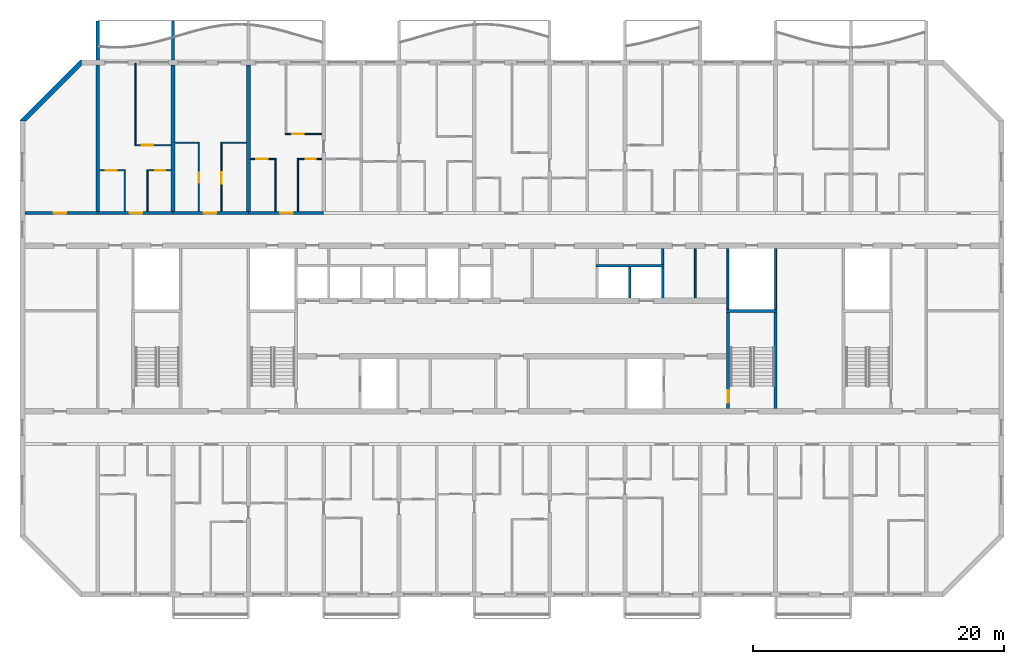
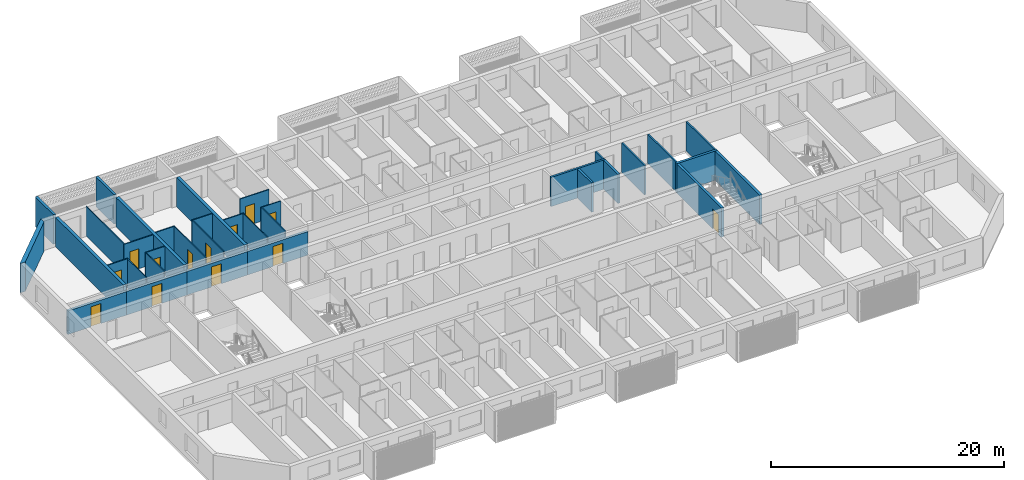
# One storey, part 8 of 32: 35 walls, 13 doors, 13 openings.
"""IFC4 building model written with IfcOpenShell, lengths in metres."""

import ifcopenshell
import ifcopenshell.guid

model = None  # the IFC model being written
_history = None  # IfcOwnerHistory: only IFC2X3 demands one
_inside = {}  # id of a spatial element -> (the spatial element, [elements in it])
_under = {}  # id of a project, library or spatial element -> (it, [spatial elements below it])
_declared = {}  # id of a project -> (the project, [libraries it declares])
_typed = {}  # id of a type object -> (the type object, [elements of that type])
_made_of = {}  # id of a material, layer set ... -> (it, [elements and type objects made of it])


def new_model(schema):
    """Start an empty IFC model of exactly this schema.

    Asked for "IFC4X3", IfcOpenShell would pick the latest addendum, in which some entities
    have other attributes; the version numbers below select the first issue.
    IFC2X3 requires an IfcOwnerHistory on every rooted entity: one is made here for all.
    """
    global model, _history
    if schema == "IFC4X3":
        model = ifcopenshell.file(schema_version=(4, 3, 0, 0))
    else:
        model = ifcopenshell.file(schema=schema)
    _inside.clear()
    _under.clear()
    _declared.clear()
    _typed.clear()
    _made_of.clear()
    _history = None
    if model.schema == "IFC2X3":
        org = make("IfcOrganization", Name="unknown")
        user = make(
            "IfcPersonAndOrganization",
            ThePerson=make("IfcPerson", FamilyName="unknown"),
            TheOrganization=org,
        )
        app = make(
            "IfcApplication",
            ApplicationDeveloper=org,
            Version="unknown",
            ApplicationFullName="unknown",
            ApplicationIdentifier="unknown",
        )
        _history = make(
            "IfcOwnerHistory",
            OwningUser=user,
            OwningApplication=app,
            ChangeAction="ADDED",
            CreationDate=0,
        )
    return model


def make(cls, **values):
    """One entity of the class cls with the attributes given. An attribute that is None is left unset."""
    return model.create_entity(
        cls, **{name: value for name, value in values.items() if value is not None}
    )


def rooted(cls, **values):
    """An entity with a GlobalId (a new one), such as an element, a storey or a relation."""
    return make(cls, GlobalId=ifcopenshell.guid.new(), OwnerHistory=_history, **values)


def si_unit(unit_type, name, prefix=None):
    """IfcSIUnit, for example si_unit("LENGTHUNIT", "METRE", prefix="MILLI")."""
    return make("IfcSIUnit", UnitType=unit_type, Prefix=prefix, Name=name)


def assignment(units):
    """IfcUnitAssignment: the units of a project."""
    return None if units is None else make("IfcUnitAssignment", Units=units)


def point(xyz):
    """IfcCartesianPoint."""
    return None if xyz is None else make("IfcCartesianPoint", Coordinates=xyz)


def direction(xyz):
    """IfcDirection."""
    return None if xyz is None else make("IfcDirection", DirectionRatios=xyz)


def frame(location, z_axis=None, x_axis=None):
    """IfcAxis2Placement3D, a coordinate frame: its origin and axes. An axis left out is left unset."""
    return make(
        "IfcAxis2Placement3D",
        Location=point(location),
        Axis=direction(z_axis),
        RefDirection=direction(x_axis),
    )


def frame_2d(location, x_axis=None):
    """IfcAxis2Placement2D, a coordinate frame in the plane: its origin and x axis."""
    return make(
        "IfcAxis2Placement2D", Location=point(location), RefDirection=direction(x_axis)
    )


def origin():
    """The frame at (0, 0, 0) with its axes left unset."""
    return frame((0.0, 0.0, 0.0))


def place(relative_to, where):
    """IfcLocalPlacement: puts the frame where relative to a parent placement (None: the world)."""
    return make(
        "IfcLocalPlacement", PlacementRelTo=relative_to, RelativePlacement=where
    )


def context(
    kind, dimensions, precision=None, world=None, true_north=None, identifier=None
):
    """IfcGeometricRepresentationContext, for example the 3D "Model" context."""
    return make(
        "IfcGeometricRepresentationContext",
        ContextIdentifier=identifier,
        ContextType=kind,
        CoordinateSpaceDimension=dimensions,
        Precision=precision,
        WorldCoordinateSystem=world,
        TrueNorth=true_north,
    )


def subcontext(parent, identifier, kind, view, scale=None):
    """IfcGeometricRepresentationSubContext, for example "Body" below "Model"."""
    return make(
        "IfcGeometricRepresentationSubContext",
        ContextIdentifier=identifier,
        ContextType=kind,
        ParentContext=parent,
        TargetScale=scale,
        TargetView=view,
    )


def project(units=None, contexts=None):
    """IfcProject with its units and contexts."""
    return rooted(
        "IfcProject",
        Name="project",
        RepresentationContexts=contexts,
        UnitsInContext=assignment(units),
    )


def spatial(cls, under=None, at=None, **own):
    """A site, building, storey or space (cls), placed at a placement, below another one or the project."""
    s = rooted(cls, ObjectPlacement=at, **own)
    if under is not None:
        _under.setdefault(under.id(), (under, []))[1].append(s)
    return s


def polyline(points):
    """IfcPolyline through the points."""
    return make("IfcPolyline", Points=[point(p) for p in points])


def profile(cls, at=None, kind="AREA", **sizes):
    """A parametric profile (cls). Its sizes go by their IFC names, for example OverallWidth=200.0."""
    return make(cls, ProfileType=kind, Position=at, **sizes)


def rectangle(**sizes):
    """IfcRectangleProfileDef."""
    return profile("IfcRectangleProfileDef", **sizes)


def outline(outer, holes=None, kind="AREA"):
    """IfcArbitraryClosedProfileDef: a profile drawn as a closed curve; with holes, ...WithVoids."""
    if holes is None:
        return make("IfcArbitraryClosedProfileDef", ProfileType=kind, OuterCurve=outer)
    return make(
        "IfcArbitraryProfileDefWithVoids",
        ProfileType=kind,
        OuterCurve=outer,
        InnerCurves=holes,
    )


def extrude(swept, where, along, depth):
    """IfcExtrudedAreaSolid: the profile swept, set in the frame where, extruded along a direction by depth."""
    return make(
        "IfcExtrudedAreaSolid",
        SweptArea=swept,
        Position=where,
        ExtrudedDirection=direction(along),
        Depth=depth,
    )


def shape(context_of_items, identifier, shape_type, items):
    """IfcShapeRepresentation: the items that make up one representation, for example the "Body"."""
    return make(
        "IfcShapeRepresentation",
        ContextOfItems=context_of_items,
        RepresentationIdentifier=identifier,
        RepresentationType=shape_type,
        Items=items,
    )


def source(mapping_origin, context_of_items, identifier, shape_type, items):
    """IfcRepresentationMap: a shape defined once, which mapped items show again and again."""
    return make(
        "IfcRepresentationMap",
        MappingOrigin=mapping_origin,
        MappedRepresentation=shape(context_of_items, identifier, shape_type, items),
    )


def transform(
    local_origin,
    x_axis=None,
    y_axis=None,
    z_axis=None,
    scale=None,
    scale2=None,
    scale3=None,
    uniform=True,
):
    """IfcCartesianTransformationOperator3D, or its non-uniform kind. x_axis, y_axis, z_axis: its Axis1, 2, 3."""
    if uniform:
        return make(
            "IfcCartesianTransformationOperator3D",
            Axis1=direction(x_axis),
            Axis2=direction(y_axis),
            LocalOrigin=point(local_origin),
            Scale=scale,
            Axis3=direction(z_axis),
        )
    return make(
        "IfcCartesianTransformationOperator3DnonUniform",
        Axis1=direction(x_axis),
        Axis2=direction(y_axis),
        LocalOrigin=point(local_origin),
        Scale=scale,
        Axis3=direction(z_axis),
        Scale2=scale2,
        Scale3=scale3,
    )


def mapped(mapping_source, mapping_target):
    """IfcMappedItem: shows the shape of a source again, moved by a transform."""
    return make(
        "IfcMappedItem", MappingSource=mapping_source, MappingTarget=mapping_target
    )


def material(Name=None, Category=None):
    """IfcMaterial."""
    return make("IfcMaterial", Name=Name, Category=Category)


def layer(
    of_material, thickness, ventilated=None, Name=None, Category=None, Priority=None
):
    """IfcMaterialLayer: one layer of a wall or slab, of a material (None: an air gap)."""
    return make(
        "IfcMaterialLayer",
        Material=of_material,
        LayerThickness=thickness,
        IsVentilated=ventilated,
        Name=Name,
        Category=Category,
        Priority=Priority,
    )


def layer_set(layers, Name=None):
    """IfcMaterialLayerSet."""
    return make("IfcMaterialLayerSet", MaterialLayers=layers, LayerSetName=Name)


def made_of(thing, what):
    """Note that an element or type object is made of a material, layer set ...; save() writes the relation."""
    if what is not None:
        _made_of.setdefault(what.id(), (what, []))[1].append(thing)
    return thing


def type_object(cls, material=None, **own):
    """A type object (cls), such as IfcWallType, which elements share."""
    return made_of(rooted(cls, **own), material)


def element(
    cls,
    number,
    at=None,
    inside=None,
    cuts=None,
    type_object=None,
    material=None,
    context=None,
    identifier="Body",
    shape_type=None,
    held_by="IfcProductDefinitionShape",
    body=None,
    shapes=None,
    **own,
):
    """One element of the class cls, such as IfcWall. Its Tag is "e" and its number.

    at: its placement. inside: the storey or other place that contains it. cuts: it is an
    opening in that element (IfcRelVoidsElement). A single representation is given by context,
    identifier, shape_type and body (its items); several are given by shapes. held_by: the class
    of the entity that holds the representations. save() writes the other relations.
    """
    e = rooted(cls, Tag="e%d" % number, ObjectPlacement=at, **own)
    if body is not None:
        shapes = [shape(context, identifier, shape_type, body)]
    if shapes is not None:
        e.Representation = make(held_by, Representations=shapes)
    if inside is not None:
        _inside.setdefault(inside.id(), (inside, []))[1].append(e)
    if cuts is not None:
        rooted(
            "IfcRelVoidsElement", RelatingBuildingElement=cuts, RelatedOpeningElement=e
        )
    if type_object is not None:
        _typed.setdefault(type_object.id(), (type_object, []))[1].append(e)
    return made_of(e, material)


def fill(opening, filler):
    """IfcRelFillsElement: the door or window that sits in an opening."""
    return rooted(
        "IfcRelFillsElement",
        RelatingOpeningElement=opening,
        RelatedBuildingElement=filler,
    )


def aggregate(whole, parts):
    """IfcRelAggregates: a whole, such as a stair, and the parts it consists of."""
    return rooted("IfcRelAggregates", RelatingObject=whole, RelatedObjects=parts)


def save(model, path):
    """Write the relations noted so far, then the file.

    IfcRelAggregates (storeys below a building ...), IfcRelContainedInSpatialStructure (elements
    in a storey), IfcRelDefinesByType, IfcRelAssociatesMaterial and IfcRelDeclares: one each for
    every whole, place, type object, material and project.
    """
    for whole, parts in _under.values():
        aggregate(whole, parts)
    for where, things in _inside.values():
        rooted(
            "IfcRelContainedInSpatialStructure",
            RelatedElements=things,
            RelatingStructure=where,
        )
    for kind, things in _typed.values():
        rooted("IfcRelDefinesByType", RelatedObjects=things, RelatingType=kind)
    for what, things in _made_of.values():
        rooted("IfcRelAssociatesMaterial", RelatedObjects=things, RelatingMaterial=what)
    for by, libraries in _declared.values():
        rooted("IfcRelDeclares", RelatingContext=by, RelatedDefinitions=libraries)
    model.write(path)


model = new_model("IFC4")

# Units and contexts
model_context = context("Model", 3, precision=1e-05, world=origin(), true_north=direction((0.0, 1.0)))
body_context = subcontext(model_context, "Body", "Model", "MODEL_VIEW")
ifc_project = project(units=[si_unit("LENGTHUNIT", "METRE"), si_unit("AREAUNIT", "SQUARE_METRE"), si_unit("VOLUMEUNIT", "CUBIC_METRE"), si_unit("PLANEANGLEUNIT", "RADIAN"), si_unit("MASSUNIT", "GRAM", prefix="KILO")], contexts=[model_context])

# Site, building, storey
site_placement = place(None, origin())
site = spatial("IfcSite", under=ifc_project, at=site_placement, CompositionType="ELEMENT")
building_placement = place(site_placement, origin())
building = spatial("IfcBuilding", under=site, at=building_placement, Name="Poui Terraces", CompositionType="ELEMENT")
storey_placement = place(building_placement, frame((0.0, 0.0, 152.10009765625)))
storey = spatial("IfcBuildingStorey", under=building, at=storey_placement, Name="L42", CompositionType="ELEMENT", Elevation=152.10009765625)

# Wall, opening, door
ifc_material_1 = material(Name="Concrete 65 MPa", Category="concrete")
ifc_layer_1 = layer(ifc_material_1, 0.25)
ifc_layer_set_1 = layer_set([ifc_layer_1], Name="Concrete 65 MPa")
wall_type_1 = type_object("IfcWallType", Name="CORRIDOR WALL 250 65MPa", PredefinedType="SHEAR", material=ifc_layer_set_1)
wall_1_placement = place(storey_placement, frame((12.199951171875, 30.39990234375, 0.0), z_axis=(0.0, 0.0, 1.0), x_axis=(1.0, 0.0, 0.0)))
wall_1 = element("IfcWall", 1, at=wall_1_placement, inside=storey, type_object=wall_type_1, Name="CORRIDOR WALL LINE E BAY 1", PredefinedType="SHEAR", context=body_context, shape_type="SweptSolid", body=[
    extrude(rectangle(XDim=5.800048828125, YDim=0.25, at=frame_2d((2.89990234375, 0.0))), origin(), (0.0, 0.0, 1.0), 2.469970703125),
])
opening_1_placement = place(wall_1_placement, frame((2.300048828125, 0.0, 0.0)))
opening_1 = element("IfcOpeningElement", 2, at=opening_1_placement, cuts=wall_1, Name="Opening D100", PredefinedType="OPENING", context=body_context, shape_type="SweptSolid", body=[
    extrude(rectangle(XDim=1.0, YDim=2.10009765625, at=frame_2d((0.5, 1.050048828125))), frame((0.0, 0.135009765625, 0.0), z_axis=(0.0, -1.0, 0.0), x_axis=(1.0, 0.0, 0.0)), (0.0, 0.0, 1.0), 0.27001953125),
])
ifc_material_2 = material(Name="Solid core timber door", Category="wood")
door_type_1 = type_object("IfcDoorType", Name="ACCESSIBLE INTERNAL DOOR 1000 X 2100", OperationType="NOTDEFINED", PredefinedType="DOOR", material=ifc_material_2)
door_1_placement = place(opening_1_placement, origin())
door_1 = element("IfcDoor", 3, at=door_1_placement, inside=storey, type_object=door_type_1, Name="ACCESSIBLE INTERNAL DOOR 029", OperationType="SINGLE_SWING_LEFT", OverallHeight=2.10009765625, OverallWidth=1.0, PredefinedType="DOOR", context=body_context, shape_type="SweptSolid", body=[
    extrude(rectangle(XDim=1.0, YDim=2.10009765625, at=frame_2d((0.5, 1.050048828125))), frame((0.0, 0.02490234375, 0.0), z_axis=(0.0, -1.0, 0.0), x_axis=(1.0, 0.0, 0.0)), (0.0, 0.0, 1.0), 0.050048828125),
])
fill(opening_1, door_1)

wall_2_placement = place(storey_placement, frame((18.0, 30.39990234375, 0.0), z_axis=(0.0, 0.0, 1.0), x_axis=(1.0, 0.0, 0.0)))
wall_2 = element("IfcWall", 4, at=wall_2_placement, inside=storey, type_object=wall_type_1, Name="CORRIDOR WALL LINE E BAY 2", PredefinedType="SHEAR", context=body_context, shape_type="SweptSolid", body=[
    extrude(rectangle(XDim=6.0, YDim=0.25, at=frame_2d((3.0, 0.0))), origin(), (0.0, 0.0, 1.0), 2.469970703125),
])
opening_2_placement = place(wall_2_placement, frame((2.550048828125, 0.0, 0.0)))
opening_2 = element("IfcOpeningElement", 5, at=opening_2_placement, cuts=wall_2, Name="Opening FD30S", PredefinedType="OPENING", context=body_context, shape_type="SweptSolid", body=[
    extrude(rectangle(XDim=1.0, YDim=2.10009765625, at=frame_2d((0.5, 1.050048828125))), frame((0.0, 0.135009765625, 0.0), z_axis=(0.0, -1.0, 0.0), x_axis=(1.0, 0.0, 0.0)), (0.0, 0.0, 1.0), 0.27001953125),
])
ifc_material_3 = material(Name="Steel fire door", Category="steel")
door_type_2 = type_object("IfcDoorType", Name="FLAT ENTRANCE DOOR 1000 X 2100", OperationType="NOTDEFINED", PredefinedType="DOOR", material=ifc_material_3)
door_2_placement = place(opening_2_placement, origin())
door_2 = element("IfcDoor", 6, at=door_2_placement, inside=storey, type_object=door_type_2, Name="FLAT ENTRANCE DOOR 031", OperationType="SINGLE_SWING_RIGHT", OverallHeight=2.10009765625, OverallWidth=1.0, PredefinedType="DOOR", context=body_context, shape_type="SweptSolid", body=[
    extrude(rectangle(XDim=1.0, YDim=2.10009765625, at=frame_2d((0.5, 1.050048828125))), frame((0.0, 0.02490234375, 0.0), z_axis=(0.0, -1.0, 0.0), x_axis=(1.0, 0.0, 0.0)), (0.0, 0.0, 1.0), 0.050048828125),
])
fill(opening_2, door_2)

wall_3_placement = place(storey_placement, frame((24.0, 30.39990234375, 0.0), z_axis=(0.0, 0.0, 1.0), x_axis=(1.0, 0.0, 0.0)))
wall_3 = element("IfcWall", 7, at=wall_3_placement, inside=storey, type_object=wall_type_1, Name="CORRIDOR WALL LINE E BAY 3", PredefinedType="SHEAR", context=body_context, shape_type="SweptSolid", body=[
    extrude(rectangle(XDim=6.0, YDim=0.25, at=frame_2d((3.0, 0.0))), origin(), (0.0, 0.0, 1.0), 2.469970703125),
])
opening_3_placement = place(wall_3_placement, frame((2.449951171875, 0.0, 0.0)))
opening_3 = element("IfcOpeningElement", 8, at=opening_3_placement, cuts=wall_3, Name="Opening FD30S", PredefinedType="OPENING", context=body_context, shape_type="SweptSolid", body=[
    extrude(rectangle(XDim=1.0, YDim=2.10009765625, at=frame_2d((0.5, 1.050048828125))), frame((0.0, 0.135009765625, 0.0), z_axis=(0.0, -1.0, 0.0), x_axis=(1.0, 0.0, 0.0)), (0.0, 0.0, 1.0), 0.27001953125),
])
door_3_placement = place(opening_3_placement, origin())
door_3 = element("IfcDoor", 9, at=door_3_placement, inside=storey, type_object=door_type_2, Name="FLAT ENTRANCE DOOR 035", OperationType="SINGLE_SWING_LEFT", OverallHeight=2.10009765625, OverallWidth=1.0, PredefinedType="DOOR", context=body_context, shape_type="SweptSolid", body=[
    extrude(rectangle(XDim=1.0, YDim=2.10009765625, at=frame_2d((0.5, 1.050048828125))), frame((0.0, 0.02490234375, 0.0), z_axis=(0.0, -1.0, 0.0), x_axis=(1.0, 0.0, 0.0)), (0.0, 0.0, 1.0), 0.050048828125),
])
fill(opening_3, door_3)

wall_4_placement = place(storey_placement, frame((30.0, 30.39990234375, 0.0), z_axis=(0.0, 0.0, 1.0), x_axis=(1.0, 0.0, 0.0)))
wall_4 = element("IfcWall", 10, at=wall_4_placement, inside=storey, type_object=wall_type_1, Name="CORRIDOR WALL LINE E BAY 4", PredefinedType="SHEAR", context=body_context, shape_type="SweptSolid", body=[
    extrude(rectangle(XDim=6.0, YDim=0.25, at=frame_2d((3.0, 0.0))), origin(), (0.0, 0.0, 1.0), 2.469970703125),
])
opening_4_placement = place(wall_4_placement, frame((2.550048828125, 0.0, 0.0)))
opening_4 = element("IfcOpeningElement", 11, at=opening_4_placement, cuts=wall_4, Name="Opening FD30S", PredefinedType="OPENING", context=body_context, shape_type="SweptSolid", body=[
    extrude(rectangle(XDim=1.0, YDim=2.10009765625, at=frame_2d((0.5, 1.050048828125))), frame((0.0, 0.135009765625, 0.0), z_axis=(0.0, -1.0, 0.0), x_axis=(1.0, 0.0, 0.0)), (0.0, 0.0, 1.0), 0.27001953125),
])
door_4_placement = place(opening_4_placement, origin())
door_4 = element("IfcDoor", 12, at=door_4_placement, inside=storey, type_object=door_type_2, Name="FLAT ENTRANCE DOOR 039", OperationType="SINGLE_SWING_RIGHT", OverallHeight=2.10009765625, OverallWidth=1.0, PredefinedType="DOOR", context=body_context, shape_type="SweptSolid", body=[
    extrude(rectangle(XDim=1.0, YDim=2.10009765625, at=frame_2d((0.5, 1.050048828125))), frame((0.0, 0.02490234375, 0.0), z_axis=(0.0, -1.0, 0.0), x_axis=(1.0, 0.0, 0.0)), (0.0, 0.0, 1.0), 0.050048828125),
])
fill(opening_4, door_4)

# Walls
ifc_layer_2 = layer(ifc_material_1, 0.300048828125)
ifc_layer_set_2 = layer_set([ifc_layer_2], Name="Concrete 65 MPa")
wall_type_2 = type_object("IfcWallType", Name="CROSS WALL 300 65MPa", PredefinedType="SHEAR", material=ifc_layer_set_2)
for number, where, z_axis, x_axis, name in (
    (13, (18.0, 30.52490234375, 0.0), (0.0, 0.0, 1.0), (0.0, 1.0, 0.0), "CROSS WALL LINE 4 NORTH"),
    (14, (24.0, 30.52490234375, 0.0), (0.0, 0.0, 1.0), (0.0, 1.0, 0.0), "CROSS WALL LINE 5 NORTH"),
    (15, (30.0, 30.52490234375, 0.0), (0.0, 0.0, 1.0), (0.0, 1.0, 0.0), "CROSS WALL LINE 6 NORTH"),
):
    element("IfcWall", number, at=place(storey_placement, frame(where, z_axis=z_axis, x_axis=x_axis)), inside=storey, type_object=wall_type_2, Name=name, PredefinedType="SHEAR", context=body_context, shape_type="SweptSolid", body=[
        extrude(rectangle(XDim=11.675048828125, YDim=0.300048828125, at=frame_2d((5.83740234375, 0.0))), origin(), (0.0, 0.0, 1.0), 3.06982421875),
    ])

# Wall, opening, door
ifc_material_4 = material(Name="Plasterboard partition")
ifc_layer_3 = layer(ifc_material_4, 0.10009765625)
ifc_layer_set_3 = layer_set([ifc_layer_3], Name="Plasterboard partition")
wall_type_3 = type_object("IfcWallType", Name="FLAT PARTITION 100", PredefinedType="PARTITIONING", material=ifc_layer_set_3)
wall_5_placement = place(storey_placement, frame((18.159912109375, 33.800048828125, 0.0), z_axis=(0.0, 0.0, 1.0), x_axis=(1.0, 0.0, 0.0)))
wall_5 = element("IfcWall", 16, at=wall_5_placement, inside=storey, type_object=wall_type_3, Name="FLAT PARTITION 100", PredefinedType="PARTITIONING", context=body_context, shape_type="SweptSolid", body=[
    extrude(rectangle(XDim=2.0400390625, YDim=0.10009765625, at=frame_2d((1.02001953125, 0.0))), origin(), (0.0, 0.0, 1.0), 3.06982421875),
])
opening_5_placement = place(wall_5_placement, frame((0.465087890625, 0.0, 0.0)))
opening_5 = element("IfcOpeningElement", 17, at=opening_5_placement, cuts=wall_5, Name="Opening D90", PredefinedType="OPENING", context=body_context, shape_type="SweptSolid", body=[
    extrude(rectangle(XDim=0.89990234375, YDim=2.10009765625, at=frame_2d((0.449951171875, 1.050048828125))), frame((0.0, 0.06005859375, 0.0), z_axis=(0.0, -1.0, 0.0), x_axis=(1.0, 0.0, 0.0)), (0.0, 0.0, 1.0), 0.1201171875),
])
door_type_3 = type_object("IfcDoorType", Name="INTERNAL DOOR 900 X 2100", OperationType="NOTDEFINED", PredefinedType="DOOR", material=ifc_material_2)
door_5_placement = place(opening_5_placement, frame((0.89990234375, 0.0, 0.0), z_axis=(0.0, 0.0, 1.0), x_axis=(-1.0, 0.0, 0.0)))
door_5 = element("IfcDoor", 18, at=door_5_placement, inside=storey, type_object=door_type_3, Name="INTERNAL DOOR 030", OperationType="SINGLE_SWING_LEFT", OverallHeight=2.10009765625, OverallWidth=0.89990234375, PredefinedType="DOOR", context=body_context, shape_type="SweptSolid", body=[
    extrude(rectangle(XDim=0.89990234375, YDim=2.10009765625, at=frame_2d((0.449951171875, 1.050048828125))), frame((0.0, 0.02490234375, 0.0), z_axis=(0.0, -1.0, 0.0), x_axis=(1.0, 0.0, 0.0)), (0.0, 0.0, 1.0), 0.050048828125),
])
fill(opening_5, door_5)

wall_6_placement = place(storey_placement, frame((21.89990234375, 33.800048828125, 0.0), z_axis=(0.0, 0.0, 1.0), x_axis=(1.0, 0.0, 0.0)))
wall_6 = element("IfcWall", 19, at=wall_6_placement, inside=storey, type_object=wall_type_3, Name="FLAT PARTITION 100", PredefinedType="PARTITIONING", context=body_context, shape_type="SweptSolid", body=[
    extrude(rectangle(XDim=1.940185546875, YDim=0.10009765625, at=frame_2d((0.97021484375, 0.0))), origin(), (0.0, 0.0, 1.0), 3.06982421875),
])
opening_6_placement = place(wall_6_placement, frame((0.675048828125, 0.0, 0.0)))
opening_6 = element("IfcOpeningElement", 20, at=opening_6_placement, cuts=wall_6, Name="Opening D80", PredefinedType="OPENING", context=body_context, shape_type="SweptSolid", body=[
    extrude(rectangle(XDim=0.800048828125, YDim=2.10009765625, at=frame_2d((0.39990234375, 1.050048828125))), frame((0.0, 0.06005859375, 0.0), z_axis=(0.0, -1.0, 0.0), x_axis=(1.0, 0.0, 0.0)), (0.0, 0.0, 1.0), 0.1201171875),
])
door_type_4 = type_object("IfcDoorType", Name="BATHROOM, LAUNDRY AND STORE DOOR 800 X 2100", OperationType="NOTDEFINED", PredefinedType="DOOR", material=ifc_material_2)
door_6_placement = place(opening_6_placement, frame((0.800048828125, 0.0, 0.0), z_axis=(0.0, 0.0, 1.0), x_axis=(-1.0, 0.0, 0.0)))
door_6 = element("IfcDoor", 21, at=door_6_placement, inside=storey, type_object=door_type_4, Name="BATHROOM, LAUNDRY AND STORE DOOR 033", OperationType="SINGLE_SWING_RIGHT", OverallHeight=2.10009765625, OverallWidth=0.800048828125, PredefinedType="DOOR", context=body_context, shape_type="SweptSolid", body=[
    extrude(rectangle(XDim=0.800048828125, YDim=2.10009765625, at=frame_2d((0.39990234375, 1.050048828125))), frame((0.0, 0.02490234375, 0.0), z_axis=(0.0, -1.0, 0.0), x_axis=(1.0, 0.0, 0.0)), (0.0, 0.0, 1.0), 0.050048828125),
])
fill(opening_6, door_6)

wall_7_placement = place(storey_placement, frame((30.159912109375, 34.699951171875, 0.0), z_axis=(0.0, 0.0, 1.0), x_axis=(1.0, 0.0, 0.0)))
wall_7 = element("IfcWall", 22, at=wall_7_placement, inside=storey, type_object=wall_type_3, Name="FLAT PARTITION 100", PredefinedType="PARTITIONING", context=body_context, shape_type="SweptSolid", body=[
    extrude(rectangle(XDim=2.0400390625, YDim=0.10009765625, at=frame_2d((1.02001953125, 0.0))), origin(), (0.0, 0.0, 1.0), 3.06982421875),
])
opening_7_placement = place(wall_7_placement, frame((0.465087890625, 0.0, 0.0)))
opening_7 = element("IfcOpeningElement", 23, at=opening_7_placement, cuts=wall_7, Name="Opening D90", PredefinedType="OPENING", context=body_context, shape_type="SweptSolid", body=[
    extrude(rectangle(XDim=0.89990234375, YDim=2.10009765625, at=frame_2d((0.449951171875, 1.050048828125))), frame((0.0, 0.06005859375, 0.0), z_axis=(0.0, -1.0, 0.0), x_axis=(1.0, 0.0, 0.0)), (0.0, 0.0, 1.0), 0.1201171875),
])
door_7_placement = place(opening_7_placement, frame((0.89990234375, 0.0, 0.0), z_axis=(0.0, 0.0, 1.0), x_axis=(-1.0, 0.0, 0.0)))
door_7 = element("IfcDoor", 24, at=door_7_placement, inside=storey, type_object=door_type_3, Name="INTERNAL DOOR 038", OperationType="SINGLE_SWING_LEFT", OverallHeight=2.10009765625, OverallWidth=0.89990234375, PredefinedType="DOOR", context=body_context, shape_type="SweptSolid", body=[
    extrude(rectangle(XDim=0.89990234375, YDim=2.10009765625, at=frame_2d((0.449951171875, 1.050048828125))), frame((0.0, 0.02490234375, 0.0), z_axis=(0.0, -1.0, 0.0), x_axis=(1.0, 0.0, 0.0)), (0.0, 0.0, 1.0), 0.050048828125),
])
fill(opening_7, door_7)

wall_8_placement = place(storey_placement, frame((33.89990234375, 34.699951171875, 0.0), z_axis=(0.0, 0.0, 1.0), x_axis=(1.0, 0.0, 0.0)))
wall_8 = element("IfcWall", 25, at=wall_8_placement, inside=storey, type_object=wall_type_3, Name="FLAT PARTITION 100", PredefinedType="PARTITIONING", context=body_context, shape_type="SweptSolid", body=[
    extrude(rectangle(XDim=1.940185546875, YDim=0.10009765625, at=frame_2d((0.97021484375, 0.0))), origin(), (0.0, 0.0, 1.0), 3.06982421875),
])
opening_8_placement = place(wall_8_placement, frame((0.675048828125, 0.0, 0.0)))
opening_8 = element("IfcOpeningElement", 26, at=opening_8_placement, cuts=wall_8, Name="Opening D80", PredefinedType="OPENING", context=body_context, shape_type="SweptSolid", body=[
    extrude(rectangle(XDim=0.800048828125, YDim=2.10009765625, at=frame_2d((0.39990234375, 1.050048828125))), frame((0.0, 0.06005859375, 0.0), z_axis=(0.0, -1.0, 0.0), x_axis=(1.0, 0.0, 0.0)), (0.0, 0.0, 1.0), 0.1201171875),
])
door_8_placement = place(opening_8_placement, frame((0.800048828125, 0.0, 0.0), z_axis=(0.0, 0.0, 1.0), x_axis=(-1.0, 0.0, 0.0)))
door_8 = element("IfcDoor", 27, at=door_8_placement, inside=storey, type_object=door_type_4, Name="BATHROOM, LAUNDRY AND STORE DOOR 041", OperationType="SINGLE_SWING_RIGHT", OverallHeight=2.10009765625, OverallWidth=0.800048828125, PredefinedType="DOOR", context=body_context, shape_type="SweptSolid", body=[
    extrude(rectangle(XDim=0.800048828125, YDim=2.10009765625, at=frame_2d((0.39990234375, 1.050048828125))), frame((0.0, 0.02490234375, 0.0), z_axis=(0.0, -1.0, 0.0), x_axis=(1.0, 0.0, 0.0)), (0.0, 0.0, 1.0), 0.050048828125),
])
fill(opening_8, door_8)

wall_9_placement = place(storey_placement, frame((20.949951171875, 35.800048828125, 0.0), z_axis=(0.0, 0.0, 1.0), x_axis=(1.0, 0.0, 0.0)))
wall_9 = element("IfcWall", 28, at=wall_9_placement, inside=storey, type_object=wall_type_3, Name="FLAT PARTITION 100", PredefinedType="PARTITIONING", context=body_context, shape_type="SweptSolid", body=[
    extrude(rectangle(XDim=2.89013671875, YDim=0.10009765625, at=frame_2d((1.445068359375, 0.0))), origin(), (0.0, 0.0, 1.0), 3.06982421875),
])
opening_9_placement = place(wall_9_placement, frame((0.550048828125, 0.0, 0.0)))
opening_9 = element("IfcOpeningElement", 29, at=opening_9_placement, cuts=wall_9, Name="Opening D90", PredefinedType="OPENING", context=body_context, shape_type="SweptSolid", body=[
    extrude(rectangle(XDim=0.89990234375, YDim=2.10009765625, at=frame_2d((0.449951171875, 1.050048828125))), frame((0.0, 0.06005859375, 0.0), z_axis=(0.0, -1.0, 0.0), x_axis=(1.0, 0.0, 0.0)), (0.0, 0.0, 1.0), 0.1201171875),
])
door_9_placement = place(opening_9_placement, frame((0.89990234375, 0.0, 0.0), z_axis=(0.0, 0.0, 1.0), x_axis=(-1.0, 0.0, 0.0)))
door_9 = element("IfcDoor", 30, at=door_9_placement, inside=storey, type_object=door_type_3, Name="INTERNAL DOOR 032", OperationType="SINGLE_SWING_LEFT", OverallHeight=2.10009765625, OverallWidth=0.89990234375, PredefinedType="DOOR", context=body_context, shape_type="SweptSolid", body=[
    extrude(rectangle(XDim=0.89990234375, YDim=2.10009765625, at=frame_2d((0.449951171875, 1.050048828125))), frame((0.0, 0.02490234375, 0.0), z_axis=(0.0, -1.0, 0.0), x_axis=(1.0, 0.0, 0.0)), (0.0, 0.0, 1.0), 0.050048828125),
])
fill(opening_9, door_9)

# Walls
wall_10_placement = place(storey_placement, frame((24.159912109375, 36.0, 0.0), z_axis=(0.0, 0.0, 1.0), x_axis=(1.0, 0.0, 0.0)))
element("IfcWall", 31, at=wall_10_placement, inside=storey, type_object=wall_type_3, Name="FLAT PARTITION 100", PredefinedType="PARTITIONING", context=body_context, shape_type="SweptSolid", body=[
    extrude(rectangle(XDim=1.940185546875, YDim=0.10009765625, at=frame_2d((0.97021484375, 0.0))), origin(), (0.0, 0.0, 1.0), 3.06982421875),
])
wall_11_placement = place(storey_placement, frame((27.800048828125, 36.0, 0.0), z_axis=(0.0, 0.0, 1.0), x_axis=(1.0, 0.0, 0.0)))
element("IfcWall", 32, at=wall_11_placement, inside=storey, type_object=wall_type_3, Name="FLAT PARTITION 100", PredefinedType="PARTITIONING", context=body_context, shape_type="SweptSolid", body=[
    extrude(rectangle(XDim=2.0400390625, YDim=0.10009765625, at=frame_2d((1.02001953125, 0.0))), origin(), (0.0, 0.0, 1.0), 3.06982421875),
])

# Wall, opening, door
wall_12_placement = place(storey_placement, frame((32.949951171875, 36.699951171875, 0.0), z_axis=(0.0, 0.0, 1.0), x_axis=(1.0, 0.0, 0.0)))
wall_12 = element("IfcWall", 33, at=wall_12_placement, inside=storey, type_object=wall_type_3, Name="FLAT PARTITION 100", PredefinedType="PARTITIONING", context=body_context, shape_type="SweptSolid", body=[
    extrude(rectangle(XDim=2.89013671875, YDim=0.10009765625, at=frame_2d((1.445068359375, 0.0))), origin(), (0.0, 0.0, 1.0), 3.06982421875),
])
opening_10_placement = place(wall_12_placement, frame((0.550048828125, 0.0, 0.0)))
opening_10 = element("IfcOpeningElement", 34, at=opening_10_placement, cuts=wall_12, Name="Opening D90", PredefinedType="OPENING", context=body_context, shape_type="SweptSolid", body=[
    extrude(rectangle(XDim=0.89990234375, YDim=2.10009765625, at=frame_2d((0.449951171875, 1.050048828125))), frame((0.0, 0.06005859375, 0.0), z_axis=(0.0, -1.0, 0.0), x_axis=(1.0, 0.0, 0.0)), (0.0, 0.0, 1.0), 0.1201171875),
])
door_10_placement = place(opening_10_placement, frame((0.89990234375, 0.0, 0.0), z_axis=(0.0, 0.0, 1.0), x_axis=(-1.0, 0.0, 0.0)))
door_10 = element("IfcDoor", 35, at=door_10_placement, inside=storey, type_object=door_type_3, Name="INTERNAL DOOR 040", OperationType="SINGLE_SWING_LEFT", OverallHeight=2.10009765625, OverallWidth=0.89990234375, PredefinedType="DOOR", context=body_context, shape_type="SweptSolid", body=[
    extrude(rectangle(XDim=0.89990234375, YDim=2.10009765625, at=frame_2d((0.449951171875, 1.050048828125))), frame((0.0, 0.02490234375, 0.0), z_axis=(0.0, -1.0, 0.0), x_axis=(1.0, 0.0, 0.0)), (0.0, 0.0, 1.0), 0.050048828125),
])
fill(opening_10, door_10)

# Walls
wall_13_placement = place(storey_placement, frame((20.14990234375, 30.534912109375, 0.0), z_axis=(0.0, 0.0, 1.0), x_axis=(0.0, 1.0, 0.0)))
element("IfcWall", 36, at=wall_13_placement, inside=storey, type_object=wall_type_3, Name="FLAT PARTITION 100", PredefinedType="PARTITIONING", context=body_context, shape_type="SweptSolid", body=[
    extrude(rectangle(XDim=3.215087890625, YDim=0.10009765625, at=frame_2d((1.607421875, 0.0))), origin(), (0.0, 0.0, 1.0), 3.06982421875),
])
wall_14_placement = place(storey_placement, frame((21.0, 35.85009765625, 0.0), z_axis=(0.0, 0.0, 1.0), x_axis=(0.0, 1.0, 0.0)))
element("IfcWall", 37, at=wall_14_placement, inside=storey, type_object=wall_type_3, Name="FLAT PARTITION 100", PredefinedType="PARTITIONING", context=body_context, shape_type="SweptSolid", body=[
    extrude(rectangle(XDim=6.489990234375, YDim=0.10009765625, at=frame_2d((3.2451171875, 0.0))), origin(), (0.0, 0.0, 1.0), 3.06982421875),
])
wall_15_placement = place(storey_placement, frame((21.949951171875, 30.534912109375, 0.0), z_axis=(0.0, 0.0, 1.0), x_axis=(0.0, 1.0, 0.0)))
element("IfcWall", 38, at=wall_15_placement, inside=storey, type_object=wall_type_3, Name="FLAT PARTITION 100", PredefinedType="PARTITIONING", context=body_context, shape_type="SweptSolid", body=[
    extrude(rectangle(XDim=3.215087890625, YDim=0.10009765625, at=frame_2d((1.607421875, 0.0))), origin(), (0.0, 0.0, 1.0), 3.06982421875),
])

# Wall, opening, door
wall_16_placement = place(storey_placement, frame((26.050048828125, 30.534912109375, 0.0), z_axis=(0.0, 0.0, 1.0), x_axis=(0.0, 1.0, 0.0)))
wall_16 = element("IfcWall", 39, at=wall_16_placement, inside=storey, type_object=wall_type_3, Name="FLAT PARTITION 100", PredefinedType="PARTITIONING", context=body_context, shape_type="SweptSolid", body=[
    extrude(rectangle(XDim=5.4150390625, YDim=0.10009765625, at=frame_2d((2.70751953125, 0.0))), origin(), (0.0, 0.0, 1.0), 3.06982421875),
])
opening_11_placement = place(wall_16_placement, frame((2.264892578125, 0.0, 0.0)))
opening_11 = element("IfcOpeningElement", 40, at=opening_11_placement, cuts=wall_16, Name="Opening D80", PredefinedType="OPENING", context=body_context, shape_type="SweptSolid", body=[
    extrude(rectangle(XDim=0.800048828125, YDim=2.10009765625, at=frame_2d((0.39990234375, 1.050048828125))), frame((0.0, 0.06005859375, 0.0), z_axis=(0.0, -1.0, 0.0), x_axis=(1.0, 0.0, 0.0)), (0.0, 0.0, 1.0), 0.1201171875),
])
door_11_placement = place(opening_11_placement, origin())
door_11 = element("IfcDoor", 41, at=door_11_placement, inside=storey, type_object=door_type_4, Name="BATHROOM, LAUNDRY AND STORE DOOR 034", OperationType="SINGLE_SWING_RIGHT", OverallHeight=2.10009765625, OverallWidth=0.800048828125, PredefinedType="DOOR", context=body_context, shape_type="SweptSolid", body=[
    extrude(rectangle(XDim=0.800048828125, YDim=2.10009765625, at=frame_2d((0.39990234375, 1.050048828125))), frame((0.0, 0.02490234375, 0.0), z_axis=(0.0, -1.0, 0.0), x_axis=(1.0, 0.0, 0.0)), (0.0, 0.0, 1.0), 0.050048828125),
])
fill(opening_11, door_11)

wall_17_placement = place(storey_placement, frame((27.85009765625, 30.534912109375, 0.0), z_axis=(0.0, 0.0, 1.0), x_axis=(0.0, 1.0, 0.0)))
wall_17 = element("IfcWall", 42, at=wall_17_placement, inside=storey, type_object=wall_type_3, Name="FLAT PARTITION 100", PredefinedType="PARTITIONING", context=body_context, shape_type="SweptSolid", body=[
    extrude(rectangle(XDim=5.4150390625, YDim=0.10009765625, at=frame_2d((2.70751953125, 0.0))), origin(), (0.0, 0.0, 1.0), 3.06982421875),
])
opening_12_placement = place(wall_17_placement, frame((2.215087890625, 0.0, 0.0)))
opening_12 = element("IfcOpeningElement", 43, at=opening_12_placement, cuts=wall_17, Name="Opening D90", PredefinedType="OPENING", context=body_context, shape_type="SweptSolid", body=[
    extrude(rectangle(XDim=0.89990234375, YDim=2.10009765625, at=frame_2d((0.449951171875, 1.050048828125))), frame((0.0, 0.06005859375, 0.0), z_axis=(0.0, -1.0, 0.0), x_axis=(1.0, 0.0, 0.0)), (0.0, 0.0, 1.0), 0.1201171875),
])
door_12_placement = place(opening_12_placement, frame((0.89990234375, 0.0, 0.0), z_axis=(0.0, 0.0, 1.0), x_axis=(-1.0, 0.0, 0.0)))
door_12 = element("IfcDoor", 44, at=door_12_placement, inside=storey, type_object=door_type_3, Name="INTERNAL DOOR 036", OperationType="SINGLE_SWING_RIGHT", OverallHeight=2.10009765625, OverallWidth=0.89990234375, PredefinedType="DOOR", context=body_context, shape_type="SweptSolid", body=[
    extrude(rectangle(XDim=0.89990234375, YDim=2.10009765625, at=frame_2d((0.449951171875, 1.050048828125))), frame((0.0, 0.02490234375, 0.0), z_axis=(0.0, -1.0, 0.0), x_axis=(1.0, 0.0, 0.0)), (0.0, 0.0, 1.0), 0.050048828125),
])
fill(opening_12, door_12)

# Walls
for number, where, z_axis, x_axis, name in (
    (45, (32.14990234375, 30.534912109375, 0.0), (0.0, 0.0, 1.0), (0.0, 1.0, 0.0), "FLAT PARTITION 100"),
    (46, (33.949951171875, 30.534912109375, 0.0), (0.0, 0.0, 1.0), (0.0, 1.0, 0.0), "FLAT PARTITION 100"),
):
    element("IfcWall", number, at=place(storey_placement, frame(where, z_axis=z_axis, x_axis=x_axis)), inside=storey, type_object=wall_type_3, Name=name, PredefinedType="PARTITIONING", context=body_context, shape_type="SweptSolid", body=[
        extrude(rectangle(XDim=4.114990234375, YDim=0.10009765625, at=frame_2d((2.0576171875, 0.0))), origin(), (0.0, 0.0, 1.0), 3.06982421875),
    ])
ifc_layer_4 = layer(ifc_material_4, 0.14990234375)
ifc_layer_set_4 = layer_set([ifc_layer_4], Name="Plasterboard partition")
wall_type_4 = type_object("IfcWallType", Name="PARTITION WALL 150", PredefinedType="PARTITIONING", material=ifc_layer_set_4)
wall_18_placement = place(storey_placement, frame((63.0, 26.300048828125, 0.0), z_axis=(0.0, 0.0, 1.0), x_axis=(0.0, 1.0, 0.0)))
element("IfcWall", 47, at=wall_18_placement, inside=storey, type_object=wall_type_4, Name="PARTITION WALL 150", PredefinedType="PARTITIONING", context=body_context, shape_type="SweptSolid", body=[
    extrude(rectangle(XDim=1.264892578125, YDim=0.14990234375, at=frame_2d((0.63232421875, 0.0))), origin(), (0.0, 0.0, 1.0), 3.06982421875),
])
wall_19_placement = place(storey_placement, frame((65.60009765625, 23.635009765625, 0.0), z_axis=(0.0, 0.0, 1.0), x_axis=(0.0, 1.0, 0.0)))
element("IfcWall", 48, at=wall_19_placement, inside=storey, type_object=wall_type_4, Name="PARTITION WALL 150", PredefinedType="PARTITIONING", context=body_context, shape_type="SweptSolid", body=[
    extrude(rectangle(XDim=3.929931640625, YDim=0.14990234375, at=frame_2d((1.96484375, 0.0))), origin(), (0.0, 0.0, 1.0), 3.06982421875),
])
ifc_material_5 = material(Name="Fire-rated plasterboard riser wall")
ifc_layer_5 = layer(ifc_material_5, 0.14990234375)
ifc_layer_set_5 = layer_set([ifc_layer_5], Name="Fire-rated plasterboard riser wall")
wall_type_5 = type_object("IfcWallType", Name="RISER WALL 150", PredefinedType="PARTITIONING", material=ifc_layer_set_5)
for number, where, z_axis, x_axis, name in (
    (49, (68.199951171875, 22.735107421875, 0.0), (0.0, 0.0, 1.0), (0.0, 1.0, 0.0), "RISER WALL 150"),
    (50, (72.0, 22.735107421875, 0.0), (0.0, 0.0, 1.0), (0.0, 1.0, 0.0), "RISER WALL 150"),
):
    element("IfcWall", number, at=place(storey_placement, frame(where, z_axis=z_axis, x_axis=x_axis)), inside=storey, type_object=wall_type_5, Name=name, PredefinedType="PARTITIONING", context=body_context, shape_type="SweptSolid", body=[
        extrude(rectangle(XDim=4.829833984375, YDim=0.14990234375, at=frame_2d((2.4150390625, 0.0))), origin(), (0.0, 0.0, 1.0), 3.06982421875),
    ])
ifc_material_6 = material(Name="Fire-rated masonry shaft wall", Category="masonry")
ifc_layer_6 = layer(ifc_material_6, 0.199951171875)
ifc_layer_set_6 = layer_set([ifc_layer_6], Name="Fire-rated masonry shaft wall")
wall_type_6 = type_object("IfcWallType", Name="SHAFT WALL 200", PredefinedType="PARTITIONING", material=ifc_layer_set_6)
wall_20_placement = place(storey_placement, frame((57.699951171875, 26.199951171875, 0.0), z_axis=(0.0, 0.0, 1.0), x_axis=(1.0, 0.0, 0.0)))
element("IfcWall", 51, at=wall_20_placement, inside=storey, type_object=wall_type_6, Name="SHAFT WALL 200", PredefinedType="PARTITIONING", context=body_context, shape_type="SweptSolid", body=[
    extrude(rectangle(XDim=5.400146484375, YDim=0.199951171875, at=frame_2d((2.7001953125, 0.0))), origin(), (0.0, 0.0, 1.0), 3.06982421875),
])
for number, where, z_axis, x_axis, name in (
    (52, (60.39990234375, 23.635009765625, 0.0), (0.0, 0.0, 1.0), (0.0, 1.0, 0.0), "SHAFT WALL 200"),
    (53, (63.0, 23.635009765625, 0.0), (0.0, 0.0, 1.0), (0.0, 1.0, 0.0), "SHAFT WALL 200"),
):
    element("IfcWall", number, at=place(storey_placement, frame(where, z_axis=z_axis, x_axis=x_axis)), inside=storey, type_object=wall_type_6, Name=name, PredefinedType="PARTITIONING", context=body_context, shape_type="SweptSolid", body=[
        extrude(rectangle(XDim=2.465087890625, YDim=0.199951171875, at=frame_2d((1.232421875, 0.0))), origin(), (0.0, 0.0, 1.0), 3.06982421875),
    ])

# Wall, opening, door
ifc_layer_7 = layer(ifc_material_1, 0.25)
ifc_layer_set_7 = layer_set([ifc_layer_7], Name="Concrete 65 MPa")
wall_type_7 = type_object("IfcWallType", Name="STAIR CORE WALL 250 65 MPA", PredefinedType="SOLIDWALL", material=ifc_layer_set_7)
wall_21_placement = place(storey_placement, frame((68.199951171875, 14.824951171875, 0.0), z_axis=(0.0, 0.0, 1.0), x_axis=(0.0, 1.0, 0.0)))
wall_21 = element("IfcWall", 54, at=wall_21_placement, inside=storey, type_object=wall_type_7, Name="STAIR CORE WALL", PredefinedType="SOLIDWALL", context=body_context, shape_type="SweptSolid", body=[
    extrude(rectangle(XDim=7.650146484375, YDim=0.25, at=frame_2d((3.8251953125, 0.0))), origin(), (0.0, 0.0, 1.0), 3.06982421875),
])
opening_13_placement = place(wall_21_placement, frame((0.47509765625, 0.0, 0.0)))
opening_13 = element("IfcOpeningElement", 55, at=opening_13_placement, cuts=wall_21, Name="Opening FD60S", PredefinedType="OPENING", context=body_context, shape_type="SweptSolid", body=[
    extrude(rectangle(XDim=1.0, YDim=2.10009765625, at=frame_2d((0.5, 1.050048828125))), frame((0.0, 0.135009765625, 0.0), z_axis=(0.0, -1.0, 0.0), x_axis=(1.0, 0.0, 0.0)), (0.0, 0.0, 1.0), 0.27001953125),
])
door_type_5 = type_object("IfcDoorType", Name="STAIR DOOR 1000 X 2100", OperationType="NOTDEFINED", PredefinedType="DOOR", material=ifc_material_3)
door_13_placement = place(opening_13_placement, frame((1.0, 0.0, 0.0), z_axis=(0.0, 0.0, 1.0), x_axis=(-1.0, 0.0, 0.0)))
door_13 = element("IfcDoor", 56, at=door_13_placement, inside=storey, type_object=door_type_5, Name="STAIR DOOR 120", OperationType="SINGLE_SWING_LEFT", OverallHeight=2.10009765625, OverallWidth=1.0, PredefinedType="DOOR", context=body_context, shape_type="SweptSolid", body=[
    extrude(rectangle(XDim=1.0, YDim=2.10009765625, at=frame_2d((0.5, 1.050048828125))), frame((0.0, 0.02490234375, 0.0), z_axis=(0.0, -1.0, 0.0), x_axis=(1.0, 0.0, 0.0)), (0.0, 0.0, 1.0), 0.050048828125),
])
fill(opening_13, door_13)

# Walls
wall_22_placement = place(storey_placement, frame((72.0, 14.824951171875, 0.0), z_axis=(0.0, 0.0, 1.0), x_axis=(0.0, 1.0, 0.0)))
element("IfcWall", 57, at=wall_22_placement, inside=storey, type_object=wall_type_7, Name="STAIR CORE WALL", PredefinedType="SOLIDWALL", context=body_context, shape_type="SweptSolid", body=[
    extrude(rectangle(XDim=7.650146484375, YDim=0.25, at=frame_2d((3.8251953125, 0.0))), origin(), (0.0, 0.0, 1.0), 3.06982421875),
])
wall_23_placement = place(storey_placement, frame((68.074951171875, 22.60009765625, 0.0), z_axis=(0.0, 0.0, 1.0), x_axis=(1.0, 0.0, 0.0)))
element("IfcWall", 58, at=wall_23_placement, inside=storey, type_object=wall_type_7, Name="STAIR CORE WALL", PredefinedType="SOLIDWALL", context=body_context, shape_type="SweptSolid", body=[
    extrude(rectangle(XDim=4.050048828125, YDim=0.25, at=frame_2d((2.02490234375, 0.0))), origin(), (0.0, 0.0, 1.0), 3.06982421875),
])
ifc_material_7 = material(Name="Precast concrete 40 MPa", Category="concrete")
ifc_layer_8 = layer(ifc_material_7, 0.39990234375)
ifc_layer_set_8 = layer_set([ifc_layer_8], Name="Precast concrete 40 MPa")
wall_type_8 = type_object("IfcWallType", Name="TERRACOTTA CLAD CHAMFER WALL 400", PredefinedType="STANDARD", material=ifc_layer_set_8)
wall_24_placement = place(storey_placement, origin())
element("IfcWall", 59, at=wall_24_placement, inside=storey, type_object=wall_type_8, Name="CHAMFER WALL CH05", PredefinedType="STANDARD", context=body_context, shape_type="SweptSolid", body=[
    extrude(outline(polyline([(16.682861328125, 42.60009765625), (16.60009765625, 42.60009765625), (11.800048828125, 37.800048828125), (11.800048828125, 37.71728515625), (12.28271484375, 37.71728515625), (16.682861328125, 42.1171875), (16.682861328125, 42.60009765625)])), origin(), (0.0, 0.0, 1.0), 3.06982421875),
])
ifc_layer_9 = layer(ifc_material_7, 0.25)
ifc_layer_set_9 = layer_set([ifc_layer_9], Name="Precast concrete 40 MPa")
wall_type_9 = type_object("IfcWallType", Name="BALCONY FIN 250", PredefinedType="STANDARD", material=ifc_layer_set_9)
shared_shape = source(origin(), body_context, "Body", "SweptSolid", [
    extrude(outline(polyline([(0.0, 0.0), (0.25, 0.0), (0.25, 3.099853515625), (0.0, 3.099853515625), (0.0, 0.0)])), origin(), (0.0, 0.0, 1.0), 3.099853515625),
])
for number, where, name in (
    (60, (17.875, 42.60009765625, 0.0), "BALCONY FIN"),
    (61, (23.875, 42.60009765625, 0.0), "BALCONY FIN"),
):
    element("IfcWall", number, at=place(storey_placement, frame(where)), inside=storey, type_object=wall_type_9, Name=name, PredefinedType="STANDARD", context=body_context, shape_type="MappedRepresentation", body=[
        mapped(shared_shape, transform((0.0, 0.0, 0.0))),
    ])

save(model, "model.ifc")
